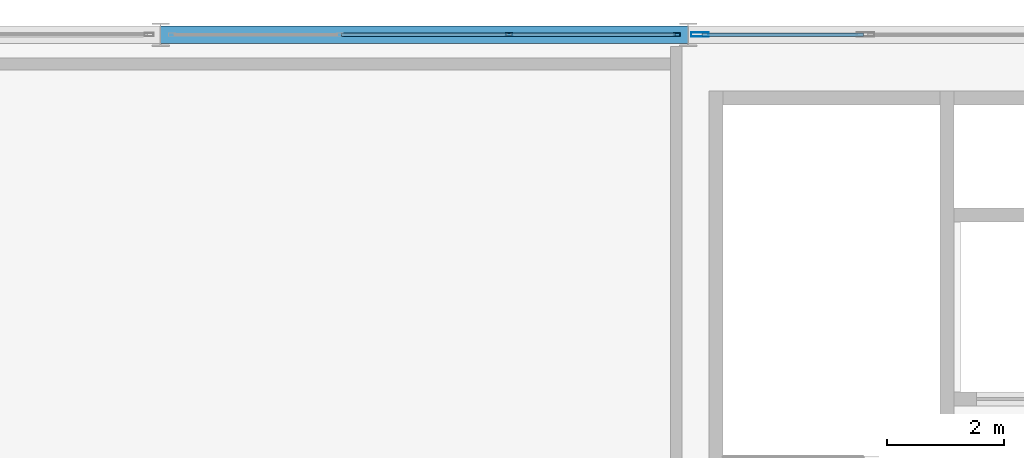
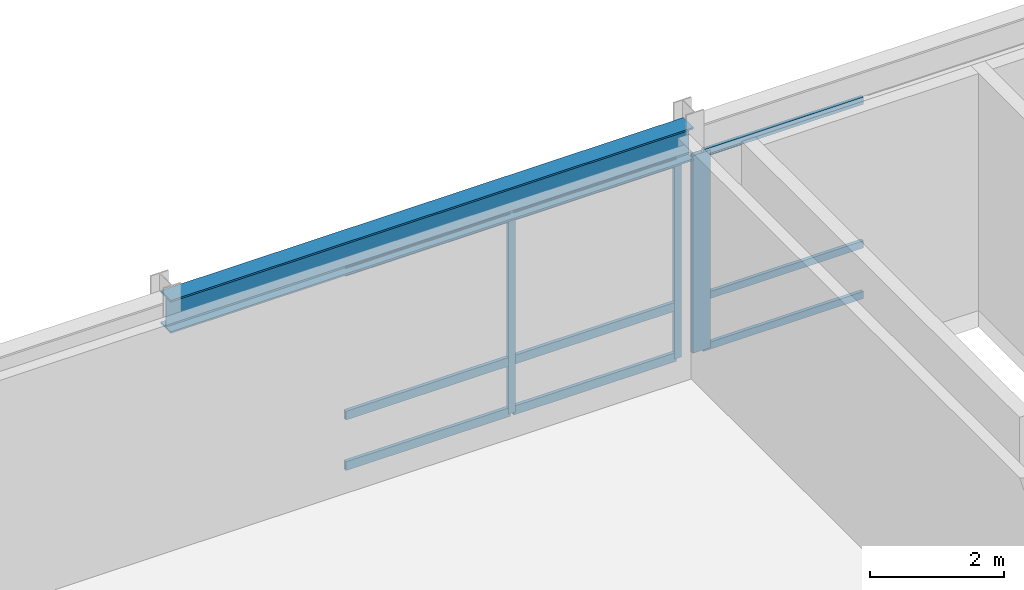
# One storey, part 31 of 67: 12 members, 1 beam, 2 elements without a shape of their own.
"""IFC4 building model written with IfcOpenShell, lengths in metres."""

from ifc_helpers import new_model, si_unit, direction, frame, origin, origin_2d, place, context, subcontext, project, spatial, hollow_rectangle, i_section, extrude, material, layer, layer_set, material_profile, profile_set, type_object, element, aggregate, save


model = new_model("IFC4")

# Units and contexts
model_context = context("Model", 3, precision=1e-05, world=origin(), true_north=direction((0.0, 1.0)))
body_context = subcontext(model_context, "Body", "Model", "MODEL_VIEW")
ifc_project = project(units=[si_unit("LENGTHUNIT", "METRE"), si_unit("AREAUNIT", "SQUARE_METRE"), si_unit("VOLUMEUNIT", "CUBIC_METRE"), si_unit("PLANEANGLEUNIT", "RADIAN"), si_unit("MASSUNIT", "GRAM", prefix="KILO")], contexts=[model_context])

# Site, building, storey
site_placement = place(None, origin())
site = spatial("IfcSite", under=ifc_project, at=site_placement, CompositionType="ELEMENT")
building_placement = place(site_placement, origin())
building = spatial("IfcBuilding", under=site, at=building_placement, Name="Montelvaro Courts of Justice", CompositionType="ELEMENT")
storey_placement = place(building_placement, frame((0.0, 0.0, 18.89990234375)))
storey = spatial("IfcBuildingStorey", under=building, at=storey_placement, Name="L04", CompositionType="ELEMENT", Elevation=18.89990234375)

# Beam
ifc_material_1 = material(Name="Steel S355", Category="steel")
ifc_material_profile_1 = material_profile(ifc_material_1, i_section(OverallWidth=0.300048828125, OverallDepth=0.60009765625, WebThickness=0.015380859375, FlangeThickness=0.030029296875, at=origin_2d()), Name="HEB 600")
ifc_profile_set_1 = profile_set([ifc_material_profile_1], Name="Steel S355")
beam_type = type_object("IfcBeamType", Name="Beam_HEB600", PredefinedType="USERDEFINED", material=ifc_profile_set_1)
beam_placement = place(storey_placement, frame((108.0, 96.0, 3.900146484375), z_axis=(1.0, 0.0, 0.0), x_axis=(0.0, 1.0, 0.0)))
element("IfcBeam", 1, at=beam_placement, inside=storey, type_object=beam_type, Name="V2 Roof Eave Girder", ObjectType="GIRDER", PredefinedType="USERDEFINED", context=body_context, shape_type="SweptSolid", body=[
    extrude(i_section(OverallWidth=0.300048828125, OverallDepth=0.60009765625, WebThickness=0.015380859375, FlangeThickness=0.030029296875, at=origin_2d()), origin(), (0.0, 0.0, 1.0), 9.0),
])

# Curtain wall, members
ifc_material_2 = material(Name="Anodised aluminium EN AW-6063", Category="aluminium")
ifc_layer_1 = layer(ifc_material_2, 0.159912109375)
ifc_layer_set_1 = layer_set([ifc_layer_1], Name="Anodised aluminium EN AW-6063")
curtain_wall_type_1 = type_object("IfcCurtainWallType", Name="CurtainWall_14_867x418", PredefinedType="USERDEFINED", material=ifc_layer_set_1)
curtain_wall_1_placement = place(storey_placement, origin())
curtain_wall_1 = element("IfcCurtainWall", 2, at=curtain_wall_1_placement, inside=storey, type_object=curtain_wall_type_1, Name="Curtain Wall CW-14 (L04)", ObjectType="CURTAIN WALL", PredefinedType="USERDEFINED")
ifc_material_profile_2 = material_profile(ifc_material_2, hollow_rectangle(XDim=0.06005859375, YDim=0.1201171875, WallThickness=0.00341796875, at=origin_2d()), Name="ALU-M 60x120")
ifc_profile_set_2 = profile_set([ifc_material_profile_2], Name="Anodised aluminium EN AW-6063")
member_type_1 = type_object("IfcMemberType", Name="CurtainWall_Mullion_60x120", PredefinedType="MULLION", material=ifc_profile_set_2)
member_1_placement = place(storey_placement, frame((116.804931640625, 96.0, 0.0), z_axis=(0.0, 0.0, 1.0), x_axis=(0.0, -1.0, 0.0)))
member_1 = element("IfcMember", 3, at=member_1_placement, type_object=member_type_1, Name="CW-14 mullion 1", PredefinedType="MULLION", context=body_context, shape_type="SweptSolid", body=[
    extrude(hollow_rectangle(XDim=0.06005859375, YDim=0.1201171875, WallThickness=0.00341796875, at=origin_2d()), origin(), (0.0, 0.0, 1.0), 3.59521484375),
])
member_2_placement = place(storey_placement, frame((113.945068359375, 96.0, 0.0), z_axis=(0.0, 0.0, 1.0), x_axis=(0.0, -1.0, 0.0)))
member_2 = element("IfcMember", 4, at=member_2_placement, type_object=member_type_1, Name="CW-14 mullion 2", PredefinedType="MULLION", context=body_context, shape_type="SweptSolid", body=[
    extrude(hollow_rectangle(XDim=0.06005859375, YDim=0.1201171875, WallThickness=0.00341796875, at=origin_2d()), origin(), (0.0, 0.0, 1.0), 3.59521484375),
])

ifc_layer_2 = layer(ifc_material_2, 0.159912109375)
ifc_layer_set_2 = layer_set([ifc_layer_2], Name="Anodised aluminium EN AW-6063")
curtain_wall_type_2 = type_object("IfcCurtainWallType", Name="CurtainWall_17_861x418", PredefinedType="USERDEFINED", material=ifc_layer_set_2)
curtain_wall_2_placement = place(storey_placement, origin())
curtain_wall_2 = element("IfcCurtainWall", 5, at=curtain_wall_2_placement, inside=storey, type_object=curtain_wall_type_2, Name="Curtain Wall CW-17 (L04)", ObjectType="CURTAIN WALL", PredefinedType="USERDEFINED")
ifc_material_profile_3 = material_profile(ifc_material_2, hollow_rectangle(XDim=0.074951171875, YDim=0.300048828125, WallThickness=0.006103515625, at=origin_2d()), Name="ALU-M 75x300")
ifc_profile_set_3 = profile_set([ifc_material_profile_3], Name="Anodised aluminium EN AW-6063")
member_type_2 = type_object("IfcMemberType", Name="CurtainWall_Mullion_75x300", PredefinedType="MULLION", material=ifc_profile_set_3)
member_3_placement = place(storey_placement, frame((117.202392578125, 96.0, 0.0), z_axis=(0.0, 0.0, 1.0), x_axis=(0.0, -1.0, 0.0)))
member_3 = element("IfcMember", 6, at=member_3_placement, type_object=member_type_2, Name="CW-17 mullion 4", PredefinedType="MULLION", context=body_context, shape_type="SweptSolid", body=[
    extrude(hollow_rectangle(XDim=0.074951171875, YDim=0.300048828125, WallThickness=0.006103515625, at=origin_2d()), origin(), (0.0, 0.0, 1.0), 3.59521484375),
])
ifc_material_profile_4 = material_profile(ifc_material_2, hollow_rectangle(XDim=0.06005859375, YDim=0.1298828125, WallThickness=0.00390625, at=origin_2d()), Name="ALU-T 60x130")
ifc_profile_set_4 = profile_set([ifc_material_profile_4], Name="Anodised aluminium EN AW-6063")
member_type_3 = type_object("IfcMemberType", Name="CurtainWall_Transom_60x130", PredefinedType="USERDEFINED", material=ifc_profile_set_4)
member_4_placement = place(storey_placement, frame((119.992431640625, 96.0, 0.030029296875), z_axis=(-1.0, 0.0, 0.0), x_axis=(0.0, -1.0, 0.0)))
member_4 = element("IfcMember", 7, at=member_4_placement, type_object=member_type_3, Name="CW-17 transom 3.1", ObjectType="TRANSOM", PredefinedType="USERDEFINED", context=body_context, shape_type="SweptSolid", body=[
    extrude(hollow_rectangle(XDim=0.06005859375, YDim=0.1298828125, WallThickness=0.00390625, at=origin_2d()), origin(), (0.0, 0.0, 1.0), 2.75244140625),
])
member_5_placement = place(storey_placement, frame((119.992431640625, 96.0, 0.9501953125), z_axis=(-1.0, 0.0, 0.0), x_axis=(0.0, -1.0, 0.0)))
member_5 = element("IfcMember", 8, at=member_5_placement, type_object=member_type_3, Name="CW-17 transom 3.2", ObjectType="TRANSOM", PredefinedType="USERDEFINED", context=body_context, shape_type="SweptSolid", body=[
    extrude(hollow_rectangle(XDim=0.06005859375, YDim=0.1298828125, WallThickness=0.00390625, at=origin_2d()), origin(), (0.0, 0.0, 1.0), 2.75244140625),
])
member_6_placement = place(storey_placement, frame((119.992431640625, 96.0, 3.565185546875), z_axis=(-1.0, 0.0, 0.0), x_axis=(0.0, -1.0, 0.0)))
member_6 = element("IfcMember", 9, at=member_6_placement, type_object=member_type_3, Name="CW-17 transom 3.3", ObjectType="TRANSOM", PredefinedType="USERDEFINED", context=body_context, shape_type="SweptSolid", body=[
    extrude(hollow_rectangle(XDim=0.06005859375, YDim=0.1298828125, WallThickness=0.00390625, at=origin_2d()), origin(), (0.0, 0.0, 1.0), 2.75244140625),
])
aggregate(curtain_wall_2, [member_3, member_4, member_5, member_6])

# Member
ifc_material_profile_5 = material_profile(ifc_material_2, hollow_rectangle(XDim=0.06005859375, YDim=0.159912109375, WallThickness=0.00439453125, at=origin_2d()), Name="ALU-T 60x160")
ifc_profile_set_5 = profile_set([ifc_material_profile_5], Name="Anodised aluminium EN AW-6063")
member_type_4 = type_object("IfcMemberType", Name="CurtainWall_Transom_60x160", PredefinedType="USERDEFINED", material=ifc_profile_set_5)
member_7_placement = place(storey_placement, frame((116.77490234375, 96.0, 0.030029296875), z_axis=(-1.0, 0.0, 0.0), x_axis=(0.0, -1.0, 0.0)))
member_7 = element("IfcMember", 10, at=member_7_placement, type_object=member_type_4, Name="CW-14 transom 1.1", ObjectType="TRANSOM", PredefinedType="USERDEFINED", context=body_context, shape_type="SweptSolid", body=[
    extrude(hollow_rectangle(XDim=0.06005859375, YDim=0.159912109375, WallThickness=0.00439453125, at=origin_2d()), origin(), (0.0, 0.0, 1.0), 2.7998046875),
])

member_8_placement = place(storey_placement, frame((116.77490234375, 96.0, 0.9501953125), z_axis=(-1.0, 0.0, 0.0), x_axis=(0.0, -1.0, 0.0)))
member_8 = element("IfcMember", 11, at=member_8_placement, type_object=member_type_4, Name="CW-14 transom 1.2", ObjectType="TRANSOM", PredefinedType="USERDEFINED", context=body_context, shape_type="SweptSolid", body=[
    extrude(hollow_rectangle(XDim=0.06005859375, YDim=0.159912109375, WallThickness=0.00439453125, at=origin_2d()), origin(), (0.0, 0.0, 1.0), 2.7998046875),
])

member_9_placement = place(storey_placement, frame((116.77490234375, 96.0, 3.565185546875), z_axis=(-1.0, 0.0, 0.0), x_axis=(0.0, -1.0, 0.0)))
member_9 = element("IfcMember", 12, at=member_9_placement, type_object=member_type_4, Name="CW-14 transom 1.3", ObjectType="TRANSOM", PredefinedType="USERDEFINED", context=body_context, shape_type="SweptSolid", body=[
    extrude(hollow_rectangle(XDim=0.06005859375, YDim=0.159912109375, WallThickness=0.00439453125, at=origin_2d()), origin(), (0.0, 0.0, 1.0), 2.7998046875),
])

member_10_placement = place(storey_placement, frame((113.9150390625, 96.0, 0.030029296875), z_axis=(-1.0, 0.0, 0.0), x_axis=(0.0, -1.0, 0.0)))
member_10 = element("IfcMember", 13, at=member_10_placement, type_object=member_type_4, Name="CW-14 transom 2.1", ObjectType="TRANSOM", PredefinedType="USERDEFINED", context=body_context, shape_type="SweptSolid", body=[
    extrude(hollow_rectangle(XDim=0.06005859375, YDim=0.159912109375, WallThickness=0.00439453125, at=origin_2d()), origin(), (0.0, 0.0, 1.0), 2.830078125),
])

member_11_placement = place(storey_placement, frame((113.9150390625, 96.0, 0.9501953125), z_axis=(-1.0, 0.0, 0.0), x_axis=(0.0, -1.0, 0.0)))
member_11 = element("IfcMember", 14, at=member_11_placement, type_object=member_type_4, Name="CW-14 transom 2.2", ObjectType="TRANSOM", PredefinedType="USERDEFINED", context=body_context, shape_type="SweptSolid", body=[
    extrude(hollow_rectangle(XDim=0.06005859375, YDim=0.159912109375, WallThickness=0.00439453125, at=origin_2d()), origin(), (0.0, 0.0, 1.0), 2.830078125),
])

member_12_placement = place(storey_placement, frame((113.9150390625, 96.0, 3.565185546875), z_axis=(-1.0, 0.0, 0.0), x_axis=(0.0, -1.0, 0.0)))
member_12 = element("IfcMember", 15, at=member_12_placement, type_object=member_type_4, Name="CW-14 transom 2.3", ObjectType="TRANSOM", PredefinedType="USERDEFINED", context=body_context, shape_type="SweptSolid", body=[
    extrude(hollow_rectangle(XDim=0.06005859375, YDim=0.159912109375, WallThickness=0.00439453125, at=origin_2d()), origin(), (0.0, 0.0, 1.0), 2.830078125),
])

aggregate(curtain_wall_1, [member_1, member_2, member_7, member_8, member_9, member_10, member_11, member_12])

save(model, "model.ifc")
